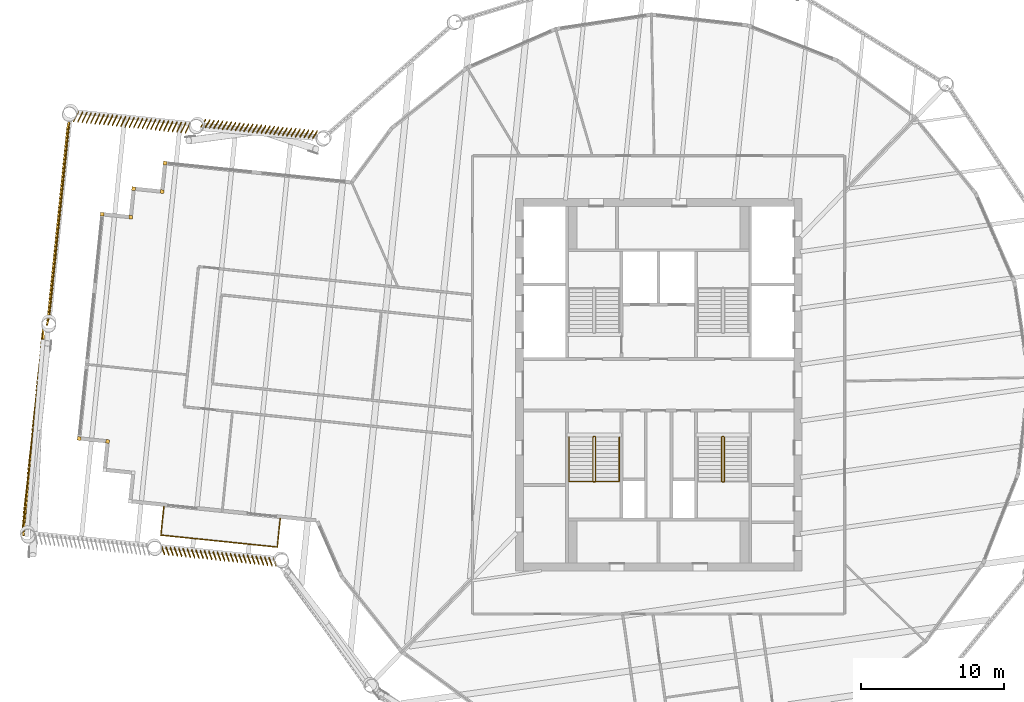
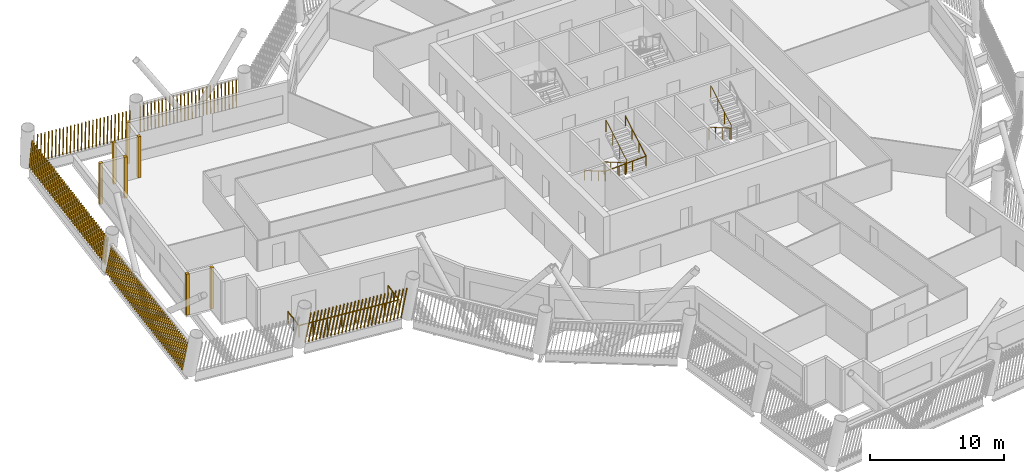
# One storey, part 19 of 22: 12 shading devices, 4 railings.
"""IFC4 building model written with IfcOpenShell, lengths in metres."""

from ifc_helpers import new_model, si_unit, direction, frame, frame_2d, origin, origin_2d, place, context, subcontext, project, spatial, rectangle, circle, composite_profile, extrude, material, type_object, element, save


model = new_model("IFC4")

# Units and contexts
model_context = context("Model", 3, precision=1e-05, world=origin(), true_north=direction((0.0, 1.0)))
body_context = subcontext(model_context, "Body", "Model", "MODEL_VIEW")
ifc_project = project(units=[si_unit("LENGTHUNIT", "METRE"), si_unit("AREAUNIT", "SQUARE_METRE"), si_unit("VOLUMEUNIT", "CUBIC_METRE"), si_unit("PLANEANGLEUNIT", "RADIAN"), si_unit("MASSUNIT", "GRAM", prefix="KILO")], contexts=[model_context])

# Site, building, storey
site_placement = place(None, origin())
site = spatial("IfcSite", under=ifc_project, at=site_placement, CompositionType="ELEMENT")
building_placement = place(site_placement, origin())
building = spatial("IfcBuilding", under=site, at=building_placement, Name="Tarsis Ring Headquarters", CompositionType="ELEMENT")
storey_placement = place(building_placement, frame((0.0, 0.0, 263.0)))
storey = spatial("IfcBuildingStorey", under=building, at=storey_placement, Name="L61", CompositionType="ELEMENT", Elevation=263.0)

# Railings
ifc_material_1 = material(Name="Stainless steel guard", Category="steel")
railing_type_1 = type_object("IfcRailingType", Name="Balcony balustrade with mesh infill 1100", PredefinedType="BALUSTRADE", material=ifc_material_1)
railing_1_placement = place(storey_placement, frame((-34.552978515625, -8.5048828125, 0.0)))
element("IfcRailing", 1, at=railing_1_placement, inside=storey, type_object=railing_type_1, Name="Balcony balustrade L61-01", PredefinedType="BALUSTRADE", context=body_context, shape_type="SweptSolid", body=[
    extrude(circle(Radius=0.030029296875, at=origin_2d()), frame((0.0, 0.0, 1.070068359375), z_axis=(-0.102536818777, -0.994729209783, 0.0), x_axis=(0.994729209783, -0.102536818777, 0.0)), (0.0, 0.0, 1.0), 2.0),
    extrude(circle(Radius=0.030029296875, at=origin_2d()), frame((-0.205078125, -1.989501953125, 1.070068359375), z_axis=(0.994739136191, -0.102440475058, 0.0), x_axis=(0.102440475058, 0.994739136191, 0.0)), (0.0, 0.0, 1.0), 8.172119140625),
    extrude(circle(Radius=0.030029296875, at=origin_2d()), frame((7.924072265625, -2.82666015625, 1.070068359375), z_axis=(0.102416032264, 0.994741653061, 0.0), x_axis=(-0.994741653061, 0.102416032264, 0.0)), (0.0, 0.0, 1.0), 2.0),
    extrude(circle(Radius=0.02490234375, at=origin_2d()), origin(), (0.0, 0.0, 1.0), 1.0400390625),
    extrude(circle(Radius=0.02490234375, at=origin_2d()), frame((-0.1025390625, -0.99462890625, 0.0)), (0.0, 0.0, 1.0), 1.0400390625),
    extrude(circle(Radius=0.02490234375, at=origin_2d()), frame((-0.205078125, -1.989501953125, 0.0)), (0.0, 0.0, 1.0), 1.0400390625),
    extrude(circle(Radius=0.02490234375, at=origin_2d()), frame((0.956298828125, -2.109130859375, 0.0)), (0.0, 0.0, 1.0), 1.0400390625),
    extrude(circle(Radius=0.02490234375, at=origin_2d()), frame((2.117431640625, -2.228759765625, 0.0)), (0.0, 0.0, 1.0), 1.0400390625),
    extrude(circle(Radius=0.02490234375, at=origin_2d()), frame((3.27880859375, -2.348388671875, 0.0)), (0.0, 0.0, 1.0), 1.0400390625),
    extrude(circle(Radius=0.02490234375, at=origin_2d()), frame((4.440185546875, -2.4677734375, 0.0)), (0.0, 0.0, 1.0), 1.0400390625),
    extrude(circle(Radius=0.02490234375, at=origin_2d()), frame((5.6015625, -2.58740234375, 0.0)), (0.0, 0.0, 1.0), 1.0400390625),
    extrude(circle(Radius=0.02490234375, at=origin_2d()), frame((6.7626953125, -2.70703125, 0.0)), (0.0, 0.0, 1.0), 1.0400390625),
    extrude(circle(Radius=0.02490234375, at=origin_2d()), frame((7.924072265625, -2.82666015625, 0.0)), (0.0, 0.0, 1.0), 1.0400390625),
    extrude(circle(Radius=0.02490234375, at=origin_2d()), frame((8.0263671875, -1.83203125, 0.0)), (0.0, 0.0, 1.0), 1.0400390625),
    extrude(circle(Radius=0.02490234375, at=origin_2d()), frame((8.12890625, -0.837158203125, 0.0)), (0.0, 0.0, 1.0), 1.0400390625),
])
ifc_material_2 = material(Name="Steel S355", Category="steel")
railing_type_2 = type_object("IfcRailingType", Name="Core stair guard 1100", PredefinedType="GUARDRAIL", material=ifc_material_2)
railing_2_placement = place(storey_placement, frame((-4.4599609375, -3.610107421875, 0.0)))
element("IfcRailing", 2, at=railing_2_placement, inside=storey, type_object=railing_type_2, Name="L61 ST3 stair guard 1", PredefinedType="GUARDRAIL", context=body_context, shape_type="SweptSolid", body=[
    extrude(circle(Radius=0.02392578125, at=origin_2d()), frame((0.0, 0.0, 1.076171875), z_axis=(-1.0, 0.0, 0.0), x_axis=(0.0, -1.0, 0.0)), (0.0, 0.0, 1.0), 0.080078125),
    extrude(circle(Radius=0.02392578125, at=origin_2d()), frame((-0.080078125, 0.0, 1.076171875), z_axis=(-0.282336740067, -0.280959487676, 0.917250092119), x_axis=(0.705375805398, -0.708833529934, 0.0)), (0.0, 0.0, 1.0), 0.17724609375),
    extrude(circle(Radius=0.02392578125, at=origin_2d()), frame((-0.130126953125, -0.0498046875, 1.23876953125), z_axis=(0.0, -0.864920483161, 0.501908913857), x_axis=(1.0, 0.0, 0.0)), (0.0, 0.0, 1.0), 3.56103515625),
    extrude(circle(Radius=0.02392578125, at=origin_2d()), frame((-0.130126953125, -3.1298828125, 3.02587890625), z_axis=(0.707106781187, -0.707106781187, 0.0), x_axis=(0.707106781187, 0.707106781187, 0.0)), (0.0, 0.0, 1.0), 0.07080078125),
    extrude(circle(Radius=0.02392578125, at=origin_2d()), frame((-0.080078125, -3.179931640625, 3.02587890625), z_axis=(1.0, 0.0, 0.0), x_axis=(0.0, 1.0, 0.0)), (0.0, 0.0, 1.0), 0.080078125),
    extrude(circle(Radius=0.02392578125, at=origin_2d()), frame((0.0, -3.179931640625, 3.02587890625), z_axis=(0.282227285176, 0.282227285176, 0.916894497205), x_axis=(-0.707106781187, 0.707106781187, 0.0)), (0.0, 0.0, 1.0), 0.17724609375),
    extrude(circle(Radius=0.02392578125, at=origin_2d()), frame((0.050048828125, -3.1298828125, 3.1884765625), z_axis=(0.0, 0.864920483161, 0.501908913857), x_axis=(-1.0, 0.0, 0.0)), (0.0, 0.0, 1.0), 3.56103515625),
    extrude(circle(Radius=0.02099609375, at=origin_2d()), origin(), (0.0, 0.0, 1.0), 1.052001953125),
    extrude(circle(Radius=0.02099609375, at=origin_2d()), frame((-0.080078125, 0.0, 0.0)), (0.0, 0.0, 1.0), 1.052001953125),
    extrude(circle(Radius=0.02099609375, at=origin_2d()), frame((-0.130126953125, -0.0498046875, 0.16259765625)), (0.0, 0.0, 1.0), 1.052001953125),
    extrude(circle(Radius=0.02099609375, at=origin_2d()), frame((-0.130126953125, -1.076416015625, 0.75830078125)), (0.0, 0.0, 1.0), 1.052001953125),
    extrude(circle(Radius=0.02099609375, at=origin_2d()), frame((-0.130126953125, -2.103271484375, 1.354248046875)), (0.0, 0.0, 1.0), 1.052001953125),
    extrude(circle(Radius=0.02099609375, at=origin_2d()), frame((-0.130126953125, -3.1298828125, 1.949951171875)), (0.0, 0.0, 1.0), 1.052001953125),
    extrude(circle(Radius=0.02099609375, at=origin_2d()), frame((-0.080078125, -3.179931640625, 1.949951171875)), (0.0, 0.0, 1.0), 1.052001953125),
    extrude(circle(Radius=0.02099609375, at=origin_2d()), frame((0.0, -3.179931640625, 1.949951171875)), (0.0, 0.0, 1.0), 1.052001953125),
    extrude(circle(Radius=0.02099609375, at=origin_2d()), frame((0.050048828125, -3.1298828125, 2.112548828125)), (0.0, 0.0, 1.0), 1.052001953125),
    extrude(circle(Radius=0.02099609375, at=origin_2d()), frame((0.050048828125, -2.103271484375, 2.708251953125)), (0.0, 0.0, 1.0), 1.052001953125),
    extrude(circle(Radius=0.02099609375, at=origin_2d()), frame((0.050048828125, -1.076416015625, 3.30419921875)), (0.0, 0.0, 1.0), 1.052001953125),
    extrude(circle(Radius=0.02099609375, at=origin_2d()), frame((0.050048828125, -0.0498046875, 3.89990234375)), (0.0, 0.0, 1.0), 1.052001953125),
])
railing_3_placement = place(storey_placement, frame((4.5400390625, -3.610107421875, 0.0)))
element("IfcRailing", 3, at=railing_3_placement, inside=storey, type_object=railing_type_2, Name="L61 ST4 stair guard 1", PredefinedType="GUARDRAIL", context=body_context, shape_type="SweptSolid", body=[
    extrude(circle(Radius=0.02392578125, at=origin_2d()), frame((0.0, 0.0, 1.076171875), z_axis=(-1.0, 0.0, 0.0), x_axis=(0.0, -1.0, 0.0)), (0.0, 0.0, 1.0), 0.080078125),
    extrude(circle(Radius=0.02392578125, at=origin_2d()), frame((-0.080078125, 0.0, 1.076171875), z_axis=(-0.282336740067, -0.280959487676, 0.917250092119), x_axis=(0.705375805398, -0.708833529934, 0.0)), (0.0, 0.0, 1.0), 0.17724609375),
    extrude(circle(Radius=0.02392578125, at=origin_2d()), frame((-0.130126953125, -0.0498046875, 1.23876953125), z_axis=(0.0, -0.864920483161, 0.501908913857), x_axis=(1.0, 0.0, 0.0)), (0.0, 0.0, 1.0), 3.56103515625),
    extrude(circle(Radius=0.02392578125, at=origin_2d()), frame((-0.130126953125, -3.1298828125, 3.02587890625), z_axis=(0.707106781187, -0.707106781187, 0.0), x_axis=(0.707106781187, 0.707106781187, 0.0)), (0.0, 0.0, 1.0), 0.07080078125),
    extrude(circle(Radius=0.02392578125, at=origin_2d()), frame((-0.080078125, -3.179931640625, 3.02587890625), z_axis=(1.0, 0.0, 0.0), x_axis=(0.0, 1.0, 0.0)), (0.0, 0.0, 1.0), 0.080078125),
    extrude(circle(Radius=0.02392578125, at=origin_2d()), frame((0.0, -3.179931640625, 3.02587890625), z_axis=(0.282227285176, 0.282227285176, 0.916894497205), x_axis=(-0.707106781187, 0.707106781187, 0.0)), (0.0, 0.0, 1.0), 0.17724609375),
    extrude(circle(Radius=0.02392578125, at=origin_2d()), frame((0.050048828125, -3.1298828125, 3.1884765625), z_axis=(0.0, 0.864920483161, 0.501908913857), x_axis=(-1.0, 0.0, 0.0)), (0.0, 0.0, 1.0), 3.56103515625),
    extrude(circle(Radius=0.02099609375, at=origin_2d()), origin(), (0.0, 0.0, 1.0), 1.052001953125),
    extrude(circle(Radius=0.02099609375, at=origin_2d()), frame((-0.080078125, 0.0, 0.0)), (0.0, 0.0, 1.0), 1.052001953125),
    extrude(circle(Radius=0.02099609375, at=origin_2d()), frame((-0.130126953125, -0.0498046875, 0.16259765625)), (0.0, 0.0, 1.0), 1.052001953125),
    extrude(circle(Radius=0.02099609375, at=origin_2d()), frame((-0.130126953125, -1.076416015625, 0.75830078125)), (0.0, 0.0, 1.0), 1.052001953125),
    extrude(circle(Radius=0.02099609375, at=origin_2d()), frame((-0.130126953125, -2.103271484375, 1.354248046875)), (0.0, 0.0, 1.0), 1.052001953125),
    extrude(circle(Radius=0.02099609375, at=origin_2d()), frame((-0.130126953125, -3.1298828125, 1.949951171875)), (0.0, 0.0, 1.0), 1.052001953125),
    extrude(circle(Radius=0.02099609375, at=origin_2d()), frame((-0.080078125, -3.179931640625, 1.949951171875)), (0.0, 0.0, 1.0), 1.052001953125),
    extrude(circle(Radius=0.02099609375, at=origin_2d()), frame((0.0, -3.179931640625, 1.949951171875)), (0.0, 0.0, 1.0), 1.052001953125),
    extrude(circle(Radius=0.02099609375, at=origin_2d()), frame((0.050048828125, -3.1298828125, 2.112548828125)), (0.0, 0.0, 1.0), 1.052001953125),
    extrude(circle(Radius=0.02099609375, at=origin_2d()), frame((0.050048828125, -2.103271484375, 2.708251953125)), (0.0, 0.0, 1.0), 1.052001953125),
    extrude(circle(Radius=0.02099609375, at=origin_2d()), frame((0.050048828125, -1.076416015625, 3.30419921875)), (0.0, 0.0, 1.0), 1.052001953125),
    extrude(circle(Radius=0.02099609375, at=origin_2d()), frame((0.050048828125, -0.0498046875, 3.89990234375)), (0.0, 0.0, 1.0), 1.052001953125),
])
railing_type_3 = type_object("IfcRailingType", Name="Core stair handrail 900", PredefinedType="HANDRAIL", material=ifc_material_2)
railing_4_placement = place(storey_placement, frame((-6.25, -3.659912109375, 0.16259765625)))
element("IfcRailing", 4, at=railing_4_placement, inside=storey, type_object=railing_type_3, Name="L61 ST3 stair handrail 1", PredefinedType="HANDRAIL", context=body_context, shape_type="SweptSolid", body=[
    extrude(circle(Radius=0.02392578125, at=origin_2d()), frame((0.0, 0.0, 0.8759765625), z_axis=(0.0, -0.864920483161, 0.501908913857), x_axis=(1.0, 0.0, 0.0)), (0.0, 0.0, 1.0), 3.56103515625),
    extrude(circle(Radius=0.02392578125, at=origin_2d()), frame((0.0, -3.080078125, 2.6630859375), z_axis=(0.998922641604, 0.0, 0.046406422943), x_axis=(0.0, 1.0, 0.0)), (0.0, 0.0, 1.0), 3.503662109375),
    extrude(circle(Radius=0.02392578125, at=origin_2d()), frame((3.5, -3.080078125, 2.82568359375), z_axis=(0.0, 0.864920483161, 0.501908913857), x_axis=(-1.0, 0.0, 0.0)), (0.0, 0.0, 1.0), 3.56103515625),
    extrude(circle(Radius=0.02099609375, at=origin_2d()), origin(), (0.0, 0.0, 1.0), 0.851806640625),
    extrude(circle(Radius=0.02099609375, at=origin_2d()), frame((0.0, -1.026611328125, 0.595703125)), (0.0, 0.0, 1.0), 0.851806640625),
    extrude(circle(Radius=0.02099609375, at=origin_2d()), frame((0.0, -2.053466796875, 1.191650390625)), (0.0, 0.0, 1.0), 0.851806640625),
    extrude(circle(Radius=0.02099609375, at=origin_2d()), frame((0.0, -3.080078125, 1.787353515625)), (0.0, 0.0, 1.0), 0.851806640625),
    extrude(circle(Radius=0.02099609375, at=origin_2d()), frame((1.166748046875, -3.080078125, 1.841552734375)), (0.0, 0.0, 1.0), 0.851806640625),
    extrude(circle(Radius=0.02099609375, at=origin_2d()), frame((2.333251953125, -3.080078125, 1.895751953125)), (0.0, 0.0, 1.0), 0.851806640625),
    extrude(circle(Radius=0.02099609375, at=origin_2d()), frame((3.5, -3.080078125, 1.949951171875)), (0.0, 0.0, 1.0), 0.851806640625),
    extrude(circle(Radius=0.02099609375, at=origin_2d()), frame((3.5, -2.053466796875, 2.545654296875)), (0.0, 0.0, 1.0), 0.851806640625),
    extrude(circle(Radius=0.02099609375, at=origin_2d()), frame((3.5, -1.026611328125, 3.1416015625)), (0.0, 0.0, 1.0), 0.851806640625),
    extrude(circle(Radius=0.02099609375, at=origin_2d()), frame((3.5, 0.0, 3.7373046875)), (0.0, 0.0, 1.0), 0.851806640625),
])

# Shading devices
ifc_material_3 = material(Name="Terracotta baguette", Category="masonry")
shading_device_type_1 = type_object("IfcShadingDeviceType", Name="Terracotta baguette screen", PredefinedType="USERDEFINED", material=ifc_material_3)
shading_device_1_placement = place(storey_placement, frame((-23.806884765625, 17.70703125, 0.0), z_axis=(0.0, 0.0, 1.0), x_axis=(-0.994747736893, 0.102450026261, 0.0)))
element("IfcShadingDevice", 5, at=shading_device_1_placement, inside=storey, type_object=shading_device_type_1, Name="Baguette screen L61-15", ObjectType="Terracotta baguette screen", PredefinedType="USERDEFINED", context=body_context, shape_type="SweptSolid", body=[
    extrude(composite_profile([rectangle(XDim=0.06005859375, YDim=0.1201171875, at=frame_2d((0.030029296875, 0.0))), rectangle(XDim=0.06005859375, YDim=0.1201171875, at=frame_2d((0.33154296875, 0.0))), rectangle(XDim=0.06005859375, YDim=0.1201171875, at=frame_2d((0.63330078125, 0.0))), rectangle(XDim=0.06005859375, YDim=0.1201171875, at=frame_2d((0.934814453125, 0.0))), rectangle(XDim=0.06005859375, YDim=0.1201171875, at=frame_2d((1.236572265625, 0.0))), rectangle(XDim=0.06005859375, YDim=0.1201171875, at=frame_2d((1.5380859375, 0.0))), rectangle(XDim=0.06005859375, YDim=0.1201171875, at=frame_2d((1.83984375, 0.0))), rectangle(XDim=0.06005859375, YDim=0.1201171875, at=frame_2d((2.141357421875, 0.0))), rectangle(XDim=0.06005859375, YDim=0.1201171875, at=frame_2d((2.443115234375, 0.0))), rectangle(XDim=0.06005859375, YDim=0.1201171875, at=frame_2d((2.74462890625, 0.0))), rectangle(XDim=0.06005859375, YDim=0.1201171875, at=frame_2d((3.04638671875, 0.0))), rectangle(XDim=0.06005859375, YDim=0.1201171875, at=frame_2d((3.347900390625, 0.0))), rectangle(XDim=0.06005859375, YDim=0.1201171875, at=frame_2d((3.649658203125, 0.0))), rectangle(XDim=0.06005859375, YDim=0.1201171875, at=frame_2d((3.951171875, 0.0))), rectangle(XDim=0.06005859375, YDim=0.1201171875, at=frame_2d((4.252685546875, 0.0))), rectangle(XDim=0.06005859375, YDim=0.1201171875, at=frame_2d((4.554443359375, 0.0))), rectangle(XDim=0.06005859375, YDim=0.1201171875, at=frame_2d((4.85595703125, 0.0))), rectangle(XDim=0.06005859375, YDim=0.1201171875, at=frame_2d((5.15771484375, 0.0))), rectangle(XDim=0.06005859375, YDim=0.1201171875, at=frame_2d((5.459228515625, 0.0))), rectangle(XDim=0.06005859375, YDim=0.1201171875, at=frame_2d((5.760986328125, 0.0))), rectangle(XDim=0.06005859375, YDim=0.1201171875, at=frame_2d((6.0625, 0.0))), rectangle(XDim=0.06005859375, YDim=0.1201171875, at=frame_2d((6.3642578125, 0.0))), rectangle(XDim=0.06005859375, YDim=0.1201171875, at=frame_2d((6.665771484375, 0.0))), rectangle(XDim=0.06005859375, YDim=0.1201171875, at=frame_2d((6.967529296875, 0.0))), rectangle(XDim=0.06005859375, YDim=0.1201171875, at=frame_2d((7.26904296875, 0.0))), rectangle(XDim=0.06005859375, YDim=0.1201171875, at=frame_2d((7.57080078125, 0.0))), rectangle(XDim=0.06005859375, YDim=0.1201171875, at=frame_2d((7.872314453125, 0.0)))]), origin(), (0.086109011043, 0.170736123537, 0.981546949634), 3.023681640625),
])
shading_device_2_placement = place(storey_placement, frame((-32.70068359375, 18.24609375, 0.0), z_axis=(0.0, 0.0, 1.0), x_axis=(-0.994747736893, 0.102450026261, 0.0)))
element("IfcShadingDevice", 6, at=shading_device_2_placement, inside=storey, type_object=shading_device_type_1, Name="Baguette screen L61-16", ObjectType="Terracotta baguette screen", PredefinedType="USERDEFINED", context=body_context, shape_type="SweptSolid", body=[
    extrude(composite_profile([rectangle(XDim=0.06005859375, YDim=0.1201171875, at=frame_2d((0.030029296875, 0.0))), rectangle(XDim=0.06005859375, YDim=0.1201171875, at=frame_2d((0.33154296875, 0.0))), rectangle(XDim=0.06005859375, YDim=0.1201171875, at=frame_2d((0.63330078125, 0.0))), rectangle(XDim=0.06005859375, YDim=0.1201171875, at=frame_2d((0.934814453125, 0.0))), rectangle(XDim=0.06005859375, YDim=0.1201171875, at=frame_2d((1.236572265625, 0.0))), rectangle(XDim=0.06005859375, YDim=0.1201171875, at=frame_2d((1.5380859375, 0.0))), rectangle(XDim=0.06005859375, YDim=0.1201171875, at=frame_2d((1.83984375, 0.0))), rectangle(XDim=0.06005859375, YDim=0.1201171875, at=frame_2d((2.141357421875, 0.0))), rectangle(XDim=0.06005859375, YDim=0.1201171875, at=frame_2d((2.443115234375, 0.0))), rectangle(XDim=0.06005859375, YDim=0.1201171875, at=frame_2d((2.74462890625, 0.0))), rectangle(XDim=0.06005859375, YDim=0.1201171875, at=frame_2d((3.04638671875, 0.0))), rectangle(XDim=0.06005859375, YDim=0.1201171875, at=frame_2d((3.347900390625, 0.0))), rectangle(XDim=0.06005859375, YDim=0.1201171875, at=frame_2d((3.649658203125, 0.0))), rectangle(XDim=0.06005859375, YDim=0.1201171875, at=frame_2d((3.951171875, 0.0))), rectangle(XDim=0.06005859375, YDim=0.1201171875, at=frame_2d((4.252685546875, 0.0))), rectangle(XDim=0.06005859375, YDim=0.1201171875, at=frame_2d((4.554443359375, 0.0))), rectangle(XDim=0.06005859375, YDim=0.1201171875, at=frame_2d((4.85595703125, 0.0))), rectangle(XDim=0.06005859375, YDim=0.1201171875, at=frame_2d((5.15771484375, 0.0))), rectangle(XDim=0.06005859375, YDim=0.1201171875, at=frame_2d((5.459228515625, 0.0))), rectangle(XDim=0.06005859375, YDim=0.1201171875, at=frame_2d((5.760986328125, 0.0))), rectangle(XDim=0.06005859375, YDim=0.1201171875, at=frame_2d((6.0625, 0.0))), rectangle(XDim=0.06005859375, YDim=0.1201171875, at=frame_2d((6.3642578125, 0.0))), rectangle(XDim=0.06005859375, YDim=0.1201171875, at=frame_2d((6.665771484375, 0.0))), rectangle(XDim=0.06005859375, YDim=0.1201171875, at=frame_2d((6.967529296875, 0.0))), rectangle(XDim=0.06005859375, YDim=0.1201171875, at=frame_2d((7.26904296875, 0.0))), rectangle(XDim=0.06005859375, YDim=0.1201171875, at=frame_2d((7.57080078125, 0.0))), rectangle(XDim=0.06005859375, YDim=0.1201171875, at=frame_2d((7.872314453125, 0.0)))]), origin(), (0.082683989576, 0.219942931817, 0.972002296608), 3.05322265625),
])
shading_device_3_placement = place(storey_placement, frame((-41.10986328125, 18.609375, 0.0), z_axis=(0.0, 0.0, 1.0), x_axis=(-0.102452055764, -0.994745594792, 0.0)))
element("IfcShadingDevice", 7, at=shading_device_3_placement, inside=storey, type_object=shading_device_type_1, Name="Baguette screen L61-17", ObjectType="Terracotta baguette screen", PredefinedType="USERDEFINED", context=body_context, shape_type="SweptSolid", body=[
    extrude(composite_profile([rectangle(XDim=0.06005859375, YDim=0.1201171875, at=frame_2d((0.030029296875, 0.0))), rectangle(XDim=0.06005859375, YDim=0.1201171875, at=frame_2d((0.33544921875, 0.0))), rectangle(XDim=0.06005859375, YDim=0.1201171875, at=frame_2d((0.640625, 0.0))), rectangle(XDim=0.06005859375, YDim=0.1201171875, at=frame_2d((0.946044921875, 0.0))), rectangle(XDim=0.06005859375, YDim=0.1201171875, at=frame_2d((1.25146484375, 0.0))), rectangle(XDim=0.06005859375, YDim=0.1201171875, at=frame_2d((1.556640625, 0.0))), rectangle(XDim=0.06005859375, YDim=0.1201171875, at=frame_2d((1.862060546875, 0.0))), rectangle(XDim=0.06005859375, YDim=0.1201171875, at=frame_2d((2.16748046875, 0.0))), rectangle(XDim=0.06005859375, YDim=0.1201171875, at=frame_2d((2.47265625, 0.0))), rectangle(XDim=0.06005859375, YDim=0.1201171875, at=frame_2d((2.778076171875, 0.0))), rectangle(XDim=0.06005859375, YDim=0.1201171875, at=frame_2d((3.08349609375, 0.0))), rectangle(XDim=0.06005859375, YDim=0.1201171875, at=frame_2d((3.388671875, 0.0))), rectangle(XDim=0.06005859375, YDim=0.1201171875, at=frame_2d((3.694091796875, 0.0))), rectangle(XDim=0.06005859375, YDim=0.1201171875, at=frame_2d((3.99951171875, 0.0))), rectangle(XDim=0.06005859375, YDim=0.1201171875, at=frame_2d((4.3046875, 0.0))), rectangle(XDim=0.06005859375, YDim=0.1201171875, at=frame_2d((4.610107421875, 0.0))), rectangle(XDim=0.06005859375, YDim=0.1201171875, at=frame_2d((4.91552734375, 0.0))), rectangle(XDim=0.06005859375, YDim=0.1201171875, at=frame_2d((5.220703125, 0.0))), rectangle(XDim=0.06005859375, YDim=0.1201171875, at=frame_2d((5.526123046875, 0.0))), rectangle(XDim=0.06005859375, YDim=0.1201171875, at=frame_2d((5.83154296875, 0.0))), rectangle(XDim=0.06005859375, YDim=0.1201171875, at=frame_2d((6.13671875, 0.0))), rectangle(XDim=0.06005859375, YDim=0.1201171875, at=frame_2d((6.442138671875, 0.0))), rectangle(XDim=0.06005859375, YDim=0.1201171875, at=frame_2d((6.74755859375, 0.0))), rectangle(XDim=0.06005859375, YDim=0.1201171875, at=frame_2d((7.052734375, 0.0))), rectangle(XDim=0.06005859375, YDim=0.1201171875, at=frame_2d((7.358154296875, 0.0))), rectangle(XDim=0.06005859375, YDim=0.1201171875, at=frame_2d((7.66357421875, 0.0))), rectangle(XDim=0.06005859375, YDim=0.1201171875, at=frame_2d((7.96875, 0.0))), rectangle(XDim=0.06005859375, YDim=0.1201171875, at=frame_2d((8.274169921875, 0.0))), rectangle(XDim=0.06005859375, YDim=0.1201171875, at=frame_2d((8.57958984375, 0.0))), rectangle(XDim=0.06005859375, YDim=0.1201171875, at=frame_2d((8.884765625, 0.0))), rectangle(XDim=0.06005859375, YDim=0.1201171875, at=frame_2d((9.190185546875, 0.0))), rectangle(XDim=0.06005859375, YDim=0.1201171875, at=frame_2d((9.49560546875, 0.0))), rectangle(XDim=0.06005859375, YDim=0.1201171875, at=frame_2d((9.80078125, 0.0))), rectangle(XDim=0.06005859375, YDim=0.1201171875, at=frame_2d((10.106201171875, 0.0))), rectangle(XDim=0.06005859375, YDim=0.1201171875, at=frame_2d((10.41162109375, 0.0))), rectangle(XDim=0.06005859375, YDim=0.1201171875, at=frame_2d((10.716796875, 0.0))), rectangle(XDim=0.06005859375, YDim=0.1201171875, at=frame_2d((11.022216796875, 0.0))), rectangle(XDim=0.06005859375, YDim=0.1201171875, at=frame_2d((11.32763671875, 0.0))), rectangle(XDim=0.06005859375, YDim=0.1201171875, at=frame_2d((11.6328125, 0.0))), rectangle(XDim=0.06005859375, YDim=0.1201171875, at=frame_2d((11.938232421875, 0.0))), rectangle(XDim=0.06005859375, YDim=0.1201171875, at=frame_2d((12.24365234375, 0.0))), rectangle(XDim=0.06005859375, YDim=0.1201171875, at=frame_2d((12.548828125, 0.0))), rectangle(XDim=0.06005859375, YDim=0.1201171875, at=frame_2d((12.854248046875, 0.0))), rectangle(XDim=0.06005859375, YDim=0.1201171875, at=frame_2d((13.15966796875, 0.0))), rectangle(XDim=0.06005859375, YDim=0.1201171875, at=frame_2d((13.46484375, 0.0))), rectangle(XDim=0.06005859375, YDim=0.1201171875, at=frame_2d((13.770263671875, 0.0)))]), origin(), (0.244231307546, -0.040033878005, 0.96889027089), 3.06298828125),
])
shading_device_4_placement = place(storey_placement, frame((-42.9990234375, 3.92578125, 0.0), z_axis=(0.0, 0.0, 1.0), x_axis=(-0.102450243255, -0.994745687749, 0.0)))
element("IfcShadingDevice", 8, at=shading_device_4_placement, inside=storey, type_object=shading_device_type_1, Name="Baguette screen L61-18", ObjectType="Terracotta baguette screen", PredefinedType="USERDEFINED", context=body_context, shape_type="SweptSolid", body=[
    extrude(composite_profile([rectangle(XDim=0.06005859375, YDim=0.1201171875, at=frame_2d((0.030029296875, 0.0))), rectangle(XDim=0.06005859375, YDim=0.1201171875, at=frame_2d((0.33544921875, 0.0))), rectangle(XDim=0.06005859375, YDim=0.1201171875, at=frame_2d((0.640625, 0.0))), rectangle(XDim=0.06005859375, YDim=0.1201171875, at=frame_2d((0.946044921875, 0.0))), rectangle(XDim=0.06005859375, YDim=0.1201171875, at=frame_2d((1.25146484375, 0.0))), rectangle(XDim=0.06005859375, YDim=0.1201171875, at=frame_2d((1.556640625, 0.0))), rectangle(XDim=0.06005859375, YDim=0.1201171875, at=frame_2d((1.862060546875, 0.0))), rectangle(XDim=0.06005859375, YDim=0.1201171875, at=frame_2d((2.16748046875, 0.0))), rectangle(XDim=0.06005859375, YDim=0.1201171875, at=frame_2d((2.47265625, 0.0))), rectangle(XDim=0.06005859375, YDim=0.1201171875, at=frame_2d((2.778076171875, 0.0))), rectangle(XDim=0.06005859375, YDim=0.1201171875, at=frame_2d((3.08349609375, 0.0))), rectangle(XDim=0.06005859375, YDim=0.1201171875, at=frame_2d((3.388671875, 0.0))), rectangle(XDim=0.06005859375, YDim=0.1201171875, at=frame_2d((3.694091796875, 0.0))), rectangle(XDim=0.06005859375, YDim=0.1201171875, at=frame_2d((3.99951171875, 0.0))), rectangle(XDim=0.06005859375, YDim=0.1201171875, at=frame_2d((4.3046875, 0.0))), rectangle(XDim=0.06005859375, YDim=0.1201171875, at=frame_2d((4.610107421875, 0.0))), rectangle(XDim=0.06005859375, YDim=0.1201171875, at=frame_2d((4.91552734375, 0.0))), rectangle(XDim=0.06005859375, YDim=0.1201171875, at=frame_2d((5.220703125, 0.0))), rectangle(XDim=0.06005859375, YDim=0.1201171875, at=frame_2d((5.526123046875, 0.0))), rectangle(XDim=0.06005859375, YDim=0.1201171875, at=frame_2d((5.83154296875, 0.0))), rectangle(XDim=0.06005859375, YDim=0.1201171875, at=frame_2d((6.13671875, 0.0))), rectangle(XDim=0.06005859375, YDim=0.1201171875, at=frame_2d((6.442138671875, 0.0))), rectangle(XDim=0.06005859375, YDim=0.1201171875, at=frame_2d((6.74755859375, 0.0))), rectangle(XDim=0.06005859375, YDim=0.1201171875, at=frame_2d((7.052734375, 0.0))), rectangle(XDim=0.06005859375, YDim=0.1201171875, at=frame_2d((7.358154296875, 0.0))), rectangle(XDim=0.06005859375, YDim=0.1201171875, at=frame_2d((7.66357421875, 0.0))), rectangle(XDim=0.06005859375, YDim=0.1201171875, at=frame_2d((7.96875, 0.0))), rectangle(XDim=0.06005859375, YDim=0.1201171875, at=frame_2d((8.274169921875, 0.0))), rectangle(XDim=0.06005859375, YDim=0.1201171875, at=frame_2d((8.57958984375, 0.0))), rectangle(XDim=0.06005859375, YDim=0.1201171875, at=frame_2d((8.884765625, 0.0))), rectangle(XDim=0.06005859375, YDim=0.1201171875, at=frame_2d((9.190185546875, 0.0))), rectangle(XDim=0.06005859375, YDim=0.1201171875, at=frame_2d((9.49560546875, 0.0))), rectangle(XDim=0.06005859375, YDim=0.1201171875, at=frame_2d((9.80078125, 0.0))), rectangle(XDim=0.06005859375, YDim=0.1201171875, at=frame_2d((10.106201171875, 0.0))), rectangle(XDim=0.06005859375, YDim=0.1201171875, at=frame_2d((10.41162109375, 0.0))), rectangle(XDim=0.06005859375, YDim=0.1201171875, at=frame_2d((10.716796875, 0.0))), rectangle(XDim=0.06005859375, YDim=0.1201171875, at=frame_2d((11.022216796875, 0.0))), rectangle(XDim=0.06005859375, YDim=0.1201171875, at=frame_2d((11.32763671875, 0.0))), rectangle(XDim=0.06005859375, YDim=0.1201171875, at=frame_2d((11.6328125, 0.0))), rectangle(XDim=0.06005859375, YDim=0.1201171875, at=frame_2d((11.938232421875, 0.0))), rectangle(XDim=0.06005859375, YDim=0.1201171875, at=frame_2d((12.24365234375, 0.0))), rectangle(XDim=0.06005859375, YDim=0.1201171875, at=frame_2d((12.548828125, 0.0))), rectangle(XDim=0.06005859375, YDim=0.1201171875, at=frame_2d((12.854248046875, 0.0))), rectangle(XDim=0.06005859375, YDim=0.1201171875, at=frame_2d((13.15966796875, 0.0))), rectangle(XDim=0.06005859375, YDim=0.1201171875, at=frame_2d((13.46484375, 0.0))), rectangle(XDim=0.06005859375, YDim=0.1201171875, at=frame_2d((13.770263671875, 0.0)))]), origin(), (0.245503153546, 0.044287711784, 0.968383601774), 3.064697265625),
])
shading_device_5_placement = place(storey_placement, frame((-34.73828125, -11.30078125, 0.0), z_axis=(0.0, 0.0, 1.0), x_axis=(0.994747736893, -0.102450026261, 0.0)))
element("IfcShadingDevice", 9, at=shading_device_5_placement, inside=storey, type_object=shading_device_type_1, Name="Baguette screen L61-20", ObjectType="Terracotta baguette screen", PredefinedType="USERDEFINED", context=body_context, shape_type="SweptSolid", body=[
    extrude(composite_profile([rectangle(XDim=0.06005859375, YDim=0.1201171875, at=frame_2d((0.030029296875, 0.0))), rectangle(XDim=0.06005859375, YDim=0.1201171875, at=frame_2d((0.33154296875, 0.0))), rectangle(XDim=0.06005859375, YDim=0.1201171875, at=frame_2d((0.63330078125, 0.0))), rectangle(XDim=0.06005859375, YDim=0.1201171875, at=frame_2d((0.934814453125, 0.0))), rectangle(XDim=0.06005859375, YDim=0.1201171875, at=frame_2d((1.236572265625, 0.0))), rectangle(XDim=0.06005859375, YDim=0.1201171875, at=frame_2d((1.5380859375, 0.0))), rectangle(XDim=0.06005859375, YDim=0.1201171875, at=frame_2d((1.83984375, 0.0))), rectangle(XDim=0.06005859375, YDim=0.1201171875, at=frame_2d((2.141357421875, 0.0))), rectangle(XDim=0.06005859375, YDim=0.1201171875, at=frame_2d((2.443115234375, 0.0))), rectangle(XDim=0.06005859375, YDim=0.1201171875, at=frame_2d((2.74462890625, 0.0))), rectangle(XDim=0.06005859375, YDim=0.1201171875, at=frame_2d((3.04638671875, 0.0))), rectangle(XDim=0.06005859375, YDim=0.1201171875, at=frame_2d((3.347900390625, 0.0))), rectangle(XDim=0.06005859375, YDim=0.1201171875, at=frame_2d((3.649658203125, 0.0))), rectangle(XDim=0.06005859375, YDim=0.1201171875, at=frame_2d((3.951171875, 0.0))), rectangle(XDim=0.06005859375, YDim=0.1201171875, at=frame_2d((4.252685546875, 0.0))), rectangle(XDim=0.06005859375, YDim=0.1201171875, at=frame_2d((4.554443359375, 0.0))), rectangle(XDim=0.06005859375, YDim=0.1201171875, at=frame_2d((4.85595703125, 0.0))), rectangle(XDim=0.06005859375, YDim=0.1201171875, at=frame_2d((5.15771484375, 0.0))), rectangle(XDim=0.06005859375, YDim=0.1201171875, at=frame_2d((5.459228515625, 0.0))), rectangle(XDim=0.06005859375, YDim=0.1201171875, at=frame_2d((5.760986328125, 0.0))), rectangle(XDim=0.06005859375, YDim=0.1201171875, at=frame_2d((6.0625, 0.0))), rectangle(XDim=0.06005859375, YDim=0.1201171875, at=frame_2d((6.3642578125, 0.0))), rectangle(XDim=0.06005859375, YDim=0.1201171875, at=frame_2d((6.665771484375, 0.0))), rectangle(XDim=0.06005859375, YDim=0.1201171875, at=frame_2d((6.967529296875, 0.0))), rectangle(XDim=0.06005859375, YDim=0.1201171875, at=frame_2d((7.26904296875, 0.0))), rectangle(XDim=0.06005859375, YDim=0.1201171875, at=frame_2d((7.57080078125, 0.0))), rectangle(XDim=0.06005859375, YDim=0.1201171875, at=frame_2d((7.872314453125, 0.0)))]), origin(), (0.086928589003, -0.169257055008, 0.981730854025), 3.02294921875),
])
shading_device_type_2 = type_object("IfcShadingDeviceType", Name="Terracotta corner baguette 250x250", PredefinedType="USERDEFINED", material=ifc_material_3)
for number, where, z_axis, x_axis, name in (
    (10, (-34.4697265625, 15.48779296875, 0.0), (0.0, 0.0, 1.0), (-0.99473863788, 0.102445313747, 0.0), "Corner baguette L61-32"),
    (11, (-34.674560546875, 13.498291015625, 0.0), (0.0, 0.0, 1.0), (-0.102445452639, -0.994738623576, 0.0), "Corner baguette L61-33"),
    (12, (-36.6640625, 13.703125, 0.0), (0.0, 0.0, 1.0), (-0.994738618212, 0.102445504723, 0.0), "Corner baguette L61-34"),
    (13, (-36.868896484375, 11.713623046875, 0.0), (0.0, 0.0, 1.0), (-0.102445018602, -0.994738668276, 0.0), "Corner baguette L61-35"),
    (14, (-38.8583984375, 11.91845703125, 0.0), (0.0, 0.0, 1.0), (-0.994738623576, 0.102445452639, 0.0), "Corner baguette L61-36"),
    (15, (-40.471923828125, -3.74853515625, 0.0), (0.0, 0.0, 1.0), (-0.102445313747, -0.99473863788, 0.0), "Corner baguette L61-37"),
    (16, (-38.482421875, -3.953369140625, 0.0), (0.0, 0.0, 1.0), (0.994738668276, -0.102445018602, 0.0), "Corner baguette L61-38"),
):
    element("IfcShadingDevice", number, at=place(storey_placement, frame(where, z_axis=z_axis, x_axis=x_axis)), inside=storey, type_object=shading_device_type_2, Name=name, ObjectType="Terracotta corner baguette", PredefinedType="USERDEFINED", context=body_context, shape_type="SweptSolid", body=[
        extrude(rectangle(XDim=0.25, YDim=0.25, at=origin_2d()), origin(), (0.0, 0.0, 1.0), 3.739990234375),
    ])

save(model, "model.ifc")
